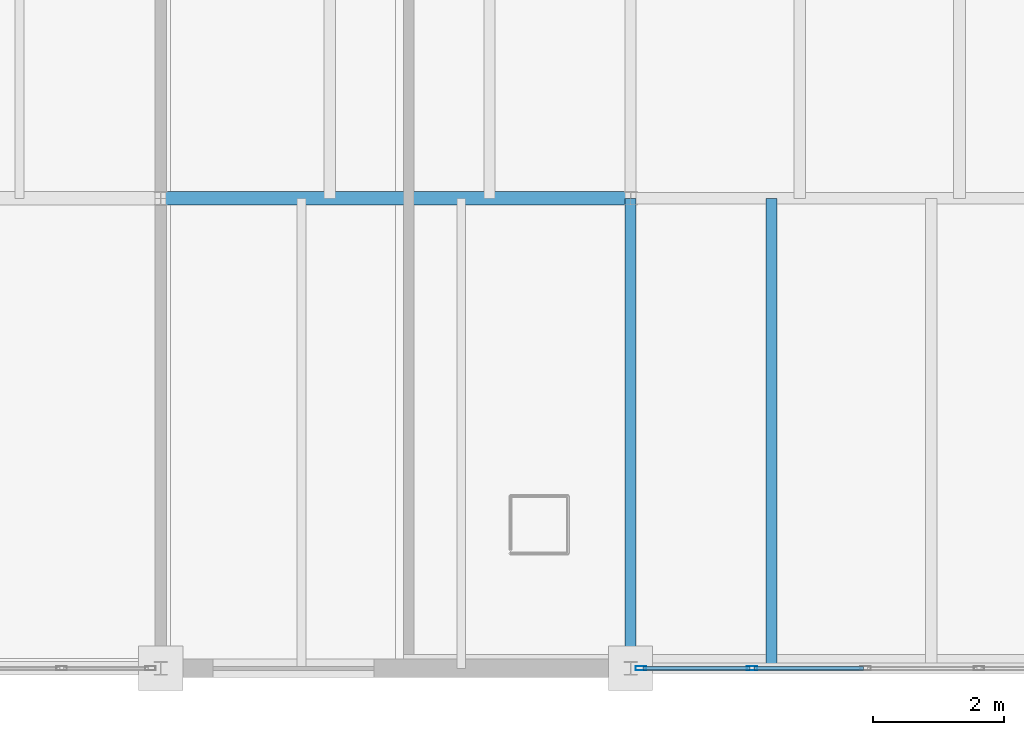
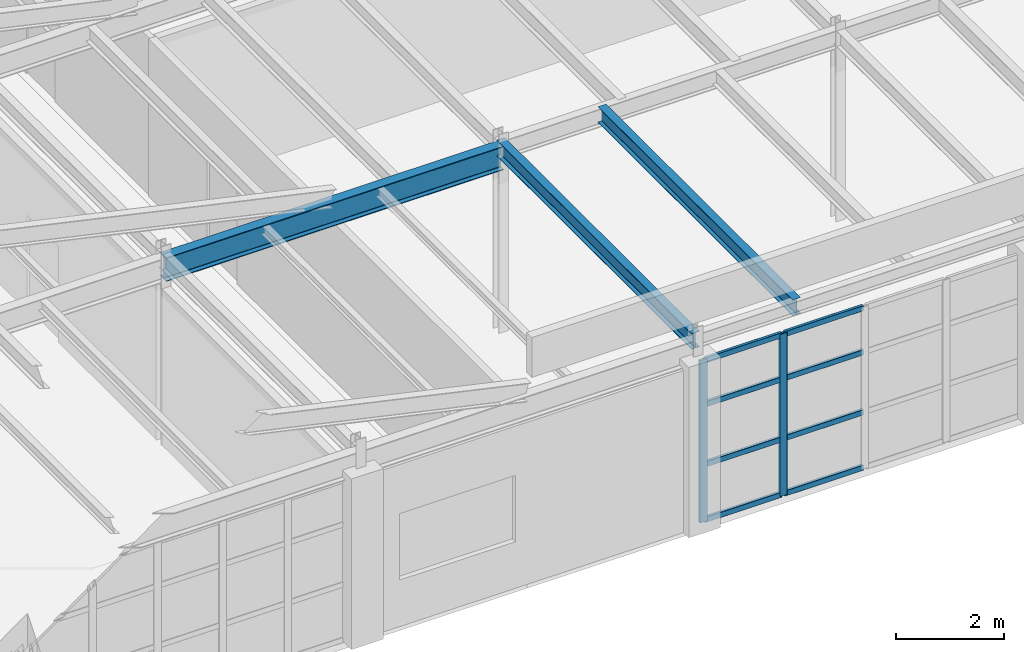
# One storey, part 12 of 43: 10 members, 3 beams, 1 element without a shape of its own.
"""IFC4 building model written with IfcOpenShell, lengths in metres."""

from ifc_helpers import new_model, si_unit, direction, frame, origin, origin_2d, place, context, subcontext, project, spatial, hollow_rectangle, i_section, extrude, material, layer, layer_set, material_profile, profile_set, type_object, element, aggregate, save


model = new_model("IFC4")

# Units and contexts
model_context = context("Model", 3, precision=1e-05, world=origin(), true_north=direction((0.0, 1.0)))
body_context = subcontext(model_context, "Body", "Model", "MODEL_VIEW")
ifc_project = project(units=[si_unit("LENGTHUNIT", "METRE"), si_unit("AREAUNIT", "SQUARE_METRE"), si_unit("VOLUMEUNIT", "CUBIC_METRE"), si_unit("PLANEANGLEUNIT", "RADIAN"), si_unit("MASSUNIT", "GRAM", prefix="KILO")], contexts=[model_context])

# Site, building, storey
site_placement = place(None, origin())
site = spatial("IfcSite", under=ifc_project, at=site_placement, CompositionType="ELEMENT")
building_placement = place(site_placement, origin())
building = spatial("IfcBuilding", under=site, at=building_placement, Name="Kemerveld Promenade Tramway Depot", CompositionType="ELEMENT")
storey_placement = place(building_placement, frame((0.0, 0.0, 18.89990234375)))
storey = spatial("IfcBuildingStorey", under=building, at=storey_placement, Name="L04", CompositionType="ELEMENT", Elevation=18.89990234375)

# Beams
ifc_material_1 = material(Name="Steel S355", Category="steel")
ifc_material_profile_1 = material_profile(ifc_material_1, i_section(OverallWidth=0.2099609375, OverallDepth=0.53662109375, WebThickness=0.0107421875, FlangeThickness=0.017333984375, FilletRadius=0.0126953125, at=origin_2d()), Name="533x210x101 UB")
ifc_profile_set_1 = profile_set([ifc_material_profile_1], Name="Steel S355")
beam_type_1 = type_object("IfcBeamType", Name="BM-G05", PredefinedType="BEAM", material=ifc_profile_set_1)
beam_1_placement = place(storey_placement, frame((14.39990234375, 7.199951171875, 3.94677734375), z_axis=(1.0, 0.0, 0.0), x_axis=(0.0, 1.0, 0.0)))
element("IfcBeam", 1, at=beam_1_placement, inside=storey, type_object=beam_type_1, Name="BMX-L04-03-04-B", PredefinedType="BEAM", context=body_context, shape_type="SweptSolid", body=[
    extrude(i_section(OverallWidth=0.2099609375, OverallDepth=0.53662109375, WebThickness=0.0107421875, FlangeThickness=0.017333984375, FilletRadius=0.0126953125, at=origin_2d()), origin(), (0.0, 0.0, 1.0), 7.2001953125),
])
ifc_material_profile_2 = material_profile(ifc_material_1, i_section(OverallWidth=0.172119140625, OverallDepth=0.35791015625, WebThickness=0.008056640625, FlangeThickness=0.012939453125, FilletRadius=0.01025390625, at=origin_2d()), Name="356x171x57 UB")
ifc_profile_set_2 = profile_set([ifc_material_profile_2], Name="Steel S355")
beam_type_2 = type_object("IfcBeamType", Name="BM-G08", PredefinedType="BEAM", material=ifc_profile_set_2)
beam_2_placement = place(storey_placement, frame((21.60009765625, 0.0, 4.14111328125), z_axis=(0.0, 1.0, 0.0), x_axis=(-1.0, 0.0, 0.0)))
element("IfcBeam", 2, at=beam_2_placement, inside=storey, type_object=beam_type_2, Name="BMY-L04-04-A-B", PredefinedType="BEAM", context=body_context, shape_type="SweptSolid", body=[
    extrude(i_section(OverallWidth=0.172119140625, OverallDepth=0.35791015625, WebThickness=0.008056640625, FlangeThickness=0.012939453125, FilletRadius=0.01025390625, at=origin_2d()), origin(), (0.0, 0.0, 1.0), 7.199951171875),
])
ifc_material_profile_3 = material_profile(ifc_material_1, i_section(OverallWidth=0.172119140625, OverallDepth=0.35791015625, WebThickness=0.008056640625, FlangeThickness=0.012939453125, FilletRadius=0.01025390625, at=origin_2d()), Name="356x171x57 UB")
ifc_profile_set_3 = profile_set([ifc_material_profile_3], Name="Steel S355")
beam_type_3 = type_object("IfcBeamType", Name="BM-J04", PredefinedType="JOIST", material=ifc_profile_set_3)
beam_3_placement = place(storey_placement, frame((23.760009765625, 0.0, 4.14111328125), z_axis=(0.0, 1.0, 0.0), x_axis=(-1.0, 0.0, 0.0)))
element("IfcBeam", 3, at=beam_3_placement, inside=storey, type_object=beam_type_3, Name="JST-L04-04-A-1", PredefinedType="JOIST", context=body_context, shape_type="SweptSolid", body=[
    extrude(i_section(OverallWidth=0.172119140625, OverallDepth=0.35791015625, WebThickness=0.008056640625, FlangeThickness=0.012939453125, FilletRadius=0.01025390625, at=origin_2d()), origin(), (0.0, 0.0, 1.0), 7.199951171875),
])

# Curtain wall, members
ifc_material_2 = material(Name="Bronze anodised aluminium and solar glass", Category="aluminium")
ifc_layer = layer(ifc_material_2, 0.159912109375)
ifc_layer_set = layer_set([ifc_layer], Name="CW-SYS-05")
curtain_wall_type = type_object("IfcCurtainWallType", Name="CW-SYS-05", PredefinedType="USERDEFINED", material=ifc_layer_set)
curtain_wall_placement = place(storey_placement, origin())
curtain_wall = element("IfcCurtainWall", 4, at=curtain_wall_placement, inside=storey, type_object=curtain_wall_type, Name="CW-L04-V5S-02", ObjectType="GLAZED_CURTAIN_WALL", PredefinedType="USERDEFINED")
ifc_material_3 = material(Name="Bronze anodised aluminium", Category="aluminium")
ifc_material_profile_4 = material_profile(ifc_material_3, hollow_rectangle(XDim=0.06494140625, YDim=0.159912109375, WallThickness=0.00390625, InnerFilletRadius=0.001953125, OuterFilletRadius=0.00390625, at=origin_2d()), Name="CW-MUL-160x65")
ifc_profile_set_4 = profile_set([ifc_material_profile_4], Name="Bronze anodised aluminium")
member_type_1 = type_object("IfcMemberType", Name="CW-MUL-A", PredefinedType="MULLION", material=ifc_profile_set_4)
member_1_placement = place(storey_placement, frame((23.46240234375, 0.0, 0.0), z_axis=(0.0, 0.0, 1.0), x_axis=(0.0, -1.0, 0.0)))
member_1 = element("IfcMember", 5, at=member_1_placement, type_object=member_type_1, Name="CW05 mullion 4", PredefinedType="MULLION", context=body_context, shape_type="SweptSolid", body=[
    extrude(hollow_rectangle(XDim=0.06494140625, YDim=0.159912109375, WallThickness=0.00390625, InnerFilletRadius=0.001953125, OuterFilletRadius=0.00390625, at=origin_2d()), origin(), (0.0, 0.0, 1.0), 3.658203125),
])
member_2_placement = place(storey_placement, frame((21.75732421875, 0.0, 0.0), z_axis=(0.0, 0.0, 1.0), x_axis=(0.0, -1.0, 0.0)))
member_2 = element("IfcMember", 6, at=member_2_placement, type_object=member_type_1, Name="CW05 mullion 5", PredefinedType="MULLION", context=body_context, shape_type="SweptSolid", body=[
    extrude(hollow_rectangle(XDim=0.06494140625, YDim=0.159912109375, WallThickness=0.00390625, InnerFilletRadius=0.001953125, OuterFilletRadius=0.00390625, at=origin_2d()), origin(), (0.0, 0.0, 1.0), 3.658203125),
])
ifc_material_profile_5 = material_profile(ifc_material_3, hollow_rectangle(XDim=0.06005859375, YDim=0.1201171875, WallThickness=0.00390625, InnerFilletRadius=0.001953125, OuterFilletRadius=0.00390625, at=origin_2d()), Name="CW-TRN-120x60")
ifc_profile_set_5 = profile_set([ifc_material_profile_5], Name="Bronze anodised aluminium")
member_type_2 = type_object("IfcMemberType", Name="CW-TRN-A", PredefinedType="USERDEFINED", material=ifc_profile_set_5)
member_3_placement = place(storey_placement, frame((25.16748046875, 0.0, 0.030029296875), z_axis=(-1.0, 0.0, 0.0), x_axis=(0.0, -1.0, 0.0)))
member_3 = element("IfcMember", 7, at=member_3_placement, type_object=member_type_2, Name="CW05 transom 3.1", ObjectType="TRANSOM", PredefinedType="USERDEFINED", context=body_context, shape_type="SweptSolid", body=[
    extrude(hollow_rectangle(XDim=0.06005859375, YDim=0.1201171875, WallThickness=0.00390625, InnerFilletRadius=0.001953125, OuterFilletRadius=0.00390625, at=origin_2d()), origin(), (0.0, 0.0, 1.0), 1.672607421875),
])
member_4_placement = place(storey_placement, frame((25.16748046875, 0.0, 1.280029296875), z_axis=(-1.0, 0.0, 0.0), x_axis=(0.0, -1.0, 0.0)))
member_4 = element("IfcMember", 8, at=member_4_placement, type_object=member_type_2, Name="CW05 transom 3.2", ObjectType="TRANSOM", PredefinedType="USERDEFINED", context=body_context, shape_type="SweptSolid", body=[
    extrude(hollow_rectangle(XDim=0.06005859375, YDim=0.1201171875, WallThickness=0.00390625, InnerFilletRadius=0.001953125, OuterFilletRadius=0.00390625, at=origin_2d()), origin(), (0.0, 0.0, 1.0), 1.672607421875),
])
member_5_placement = place(storey_placement, frame((25.16748046875, 0.0, 2.634033203125), z_axis=(-1.0, 0.0, 0.0), x_axis=(0.0, -1.0, 0.0)))
member_5 = element("IfcMember", 9, at=member_5_placement, type_object=member_type_2, Name="CW05 transom 3.3", ObjectType="TRANSOM", PredefinedType="USERDEFINED", context=body_context, shape_type="SweptSolid", body=[
    extrude(hollow_rectangle(XDim=0.06005859375, YDim=0.1201171875, WallThickness=0.00390625, InnerFilletRadius=0.001953125, OuterFilletRadius=0.00390625, at=origin_2d()), origin(), (0.0, 0.0, 1.0), 1.672607421875),
])
member_6_placement = place(storey_placement, frame((25.16748046875, 0.0, 3.62841796875), z_axis=(-1.0, 0.0, 0.0), x_axis=(0.0, -1.0, 0.0)))
member_6 = element("IfcMember", 10, at=member_6_placement, type_object=member_type_2, Name="CW05 transom 3.4", ObjectType="TRANSOM", PredefinedType="USERDEFINED", context=body_context, shape_type="SweptSolid", body=[
    extrude(hollow_rectangle(XDim=0.06005859375, YDim=0.1201171875, WallThickness=0.00390625, InnerFilletRadius=0.001953125, OuterFilletRadius=0.00390625, at=origin_2d()), origin(), (0.0, 0.0, 1.0), 1.672607421875),
])
member_7_placement = place(storey_placement, frame((23.429931640625, 0.0, 0.030029296875), z_axis=(-1.0, 0.0, 0.0), x_axis=(0.0, -1.0, 0.0)))
member_7 = element("IfcMember", 11, at=member_7_placement, type_object=member_type_2, Name="CW05 transom 4.1", ObjectType="TRANSOM", PredefinedType="USERDEFINED", context=body_context, shape_type="SweptSolid", body=[
    extrude(hollow_rectangle(XDim=0.06005859375, YDim=0.1201171875, WallThickness=0.00390625, InnerFilletRadius=0.001953125, OuterFilletRadius=0.00390625, at=origin_2d()), origin(), (0.0, 0.0, 1.0), 1.64013671875),
])
member_8_placement = place(storey_placement, frame((23.429931640625, 0.0, 1.280029296875), z_axis=(-1.0, 0.0, 0.0), x_axis=(0.0, -1.0, 0.0)))
member_8 = element("IfcMember", 12, at=member_8_placement, type_object=member_type_2, Name="CW05 transom 4.2", ObjectType="TRANSOM", PredefinedType="USERDEFINED", context=body_context, shape_type="SweptSolid", body=[
    extrude(hollow_rectangle(XDim=0.06005859375, YDim=0.1201171875, WallThickness=0.00390625, InnerFilletRadius=0.001953125, OuterFilletRadius=0.00390625, at=origin_2d()), origin(), (0.0, 0.0, 1.0), 1.64013671875),
])
member_9_placement = place(storey_placement, frame((23.429931640625, 0.0, 2.634033203125), z_axis=(-1.0, 0.0, 0.0), x_axis=(0.0, -1.0, 0.0)))
member_9 = element("IfcMember", 13, at=member_9_placement, type_object=member_type_2, Name="CW05 transom 4.3", ObjectType="TRANSOM", PredefinedType="USERDEFINED", context=body_context, shape_type="SweptSolid", body=[
    extrude(hollow_rectangle(XDim=0.06005859375, YDim=0.1201171875, WallThickness=0.00390625, InnerFilletRadius=0.001953125, OuterFilletRadius=0.00390625, at=origin_2d()), origin(), (0.0, 0.0, 1.0), 1.64013671875),
])
member_10_placement = place(storey_placement, frame((23.429931640625, 0.0, 3.62841796875), z_axis=(-1.0, 0.0, 0.0), x_axis=(0.0, -1.0, 0.0)))
member_10 = element("IfcMember", 14, at=member_10_placement, type_object=member_type_2, Name="CW05 transom 4.4", ObjectType="TRANSOM", PredefinedType="USERDEFINED", context=body_context, shape_type="SweptSolid", body=[
    extrude(hollow_rectangle(XDim=0.06005859375, YDim=0.1201171875, WallThickness=0.00390625, InnerFilletRadius=0.001953125, OuterFilletRadius=0.00390625, at=origin_2d()), origin(), (0.0, 0.0, 1.0), 1.64013671875),
])
aggregate(curtain_wall, [member_1, member_2, member_3, member_4, member_5, member_6, member_7, member_8, member_9, member_10])

save(model, "model.ifc")
